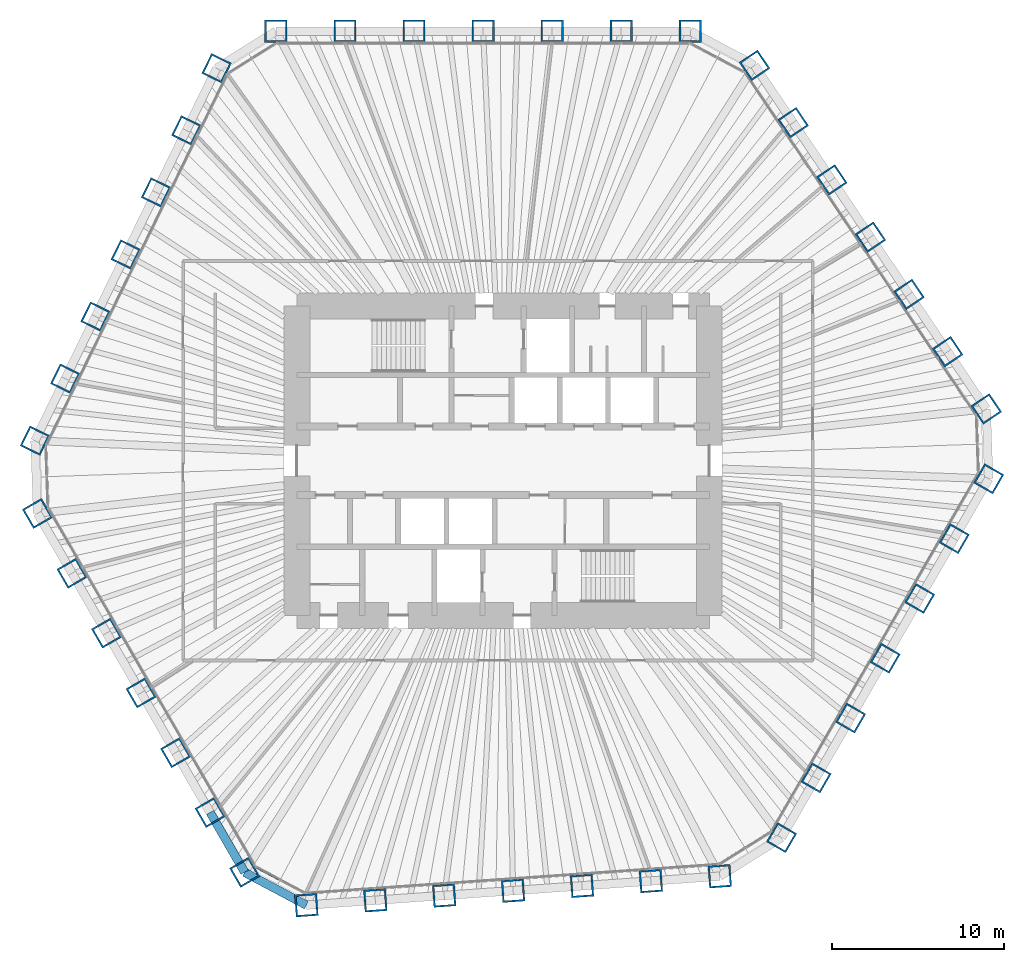
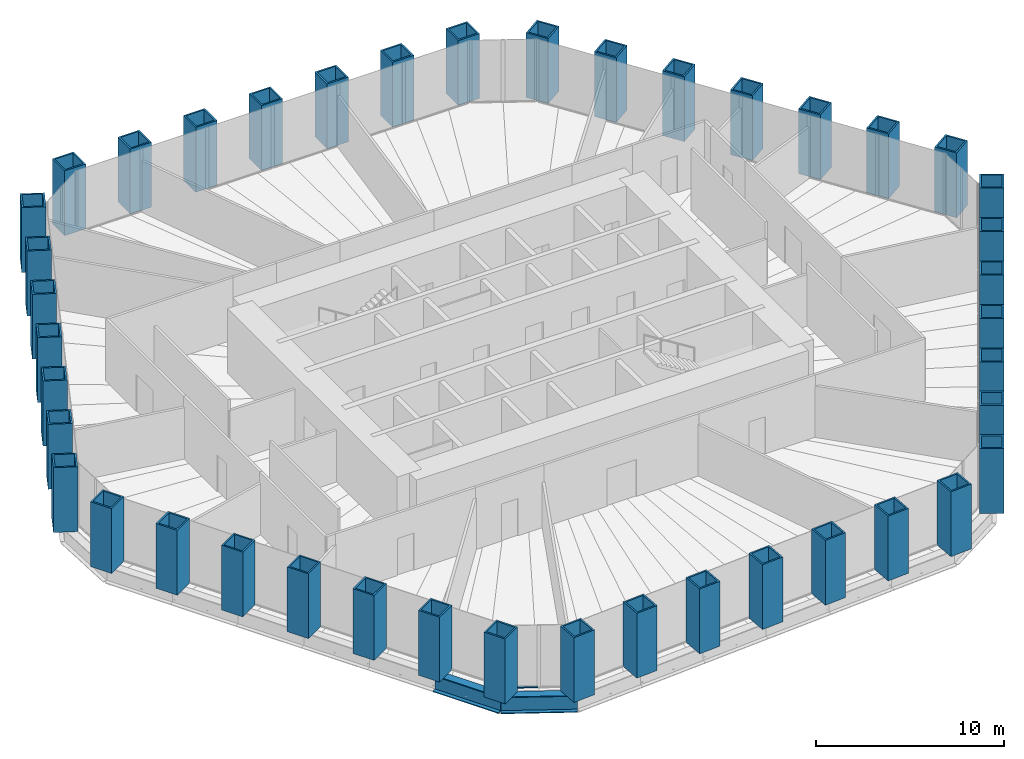
# One storey, part 1 of 13: 42 columns, 2 beams, 1 member, 1 element without a shape of its own.
"""IFC4 building model written with IfcOpenShell, lengths in metres."""

from ifc_helpers import new_model, si_unit, direction, frame, origin, origin_2d, place, context, subcontext, project, spatial, rectangle, hollow_rectangle, i_section, extrude, material, material_profile, profile_set, type_object, element, aggregate, save


model = new_model("IFC4")

# Units and contexts
model_context = context("Model", 3, precision=1e-05, world=origin(), true_north=direction((0.0, 1.0)))
body_context = subcontext(model_context, "Body", "Model", "MODEL_VIEW")
ifc_project = project(units=[si_unit("LENGTHUNIT", "METRE"), si_unit("AREAUNIT", "SQUARE_METRE"), si_unit("VOLUMEUNIT", "CUBIC_METRE"), si_unit("PLANEANGLEUNIT", "RADIAN"), si_unit("MASSUNIT", "GRAM", prefix="KILO")], contexts=[model_context])

# Site, building, storey
site_placement = place(None, origin())
site = spatial("IfcSite", under=ifc_project, at=site_placement, CompositionType="ELEMENT")
building_placement = place(site_placement, origin())
building = spatial("IfcBuilding", under=site, at=building_placement, Name="Qingtian Harvest Tower", CompositionType="ELEMENT")
storey_placement = place(building_placement, frame((0.0, 0.0, 157.60009765625)))
storey = spatial("IfcBuildingStorey", under=building, at=storey_placement, Name="L33", CompositionType="ELEMENT", Elevation=157.60009765625)

# Columns
ifc_material_1 = material(Name="Steel SM570MC", Category="steel")
ifc_material_profile_1 = material_profile(ifc_material_1, hollow_rectangle(XDim=1.300048828125, YDim=1.300048828125, WallThickness=0.10009765625, at=origin_2d()), Name="BOX1300x1300x100")
ifc_profile_set_1 = profile_set([ifc_material_profile_1], Name="Steel SM570MC")
column_type = type_object("IfcColumnType", Name="Tube column TC4 BOX1300x1300x100", PredefinedType="COLUMN", material=ifc_profile_set_1)
for number, where, z_axis, x_axis, name in (
    (1, (-13.2216796875, 25.0, 0.0), (0.0, 0.0, 1.0), (-1.0, 0.0, 0.0), "Tube column TC4 N0"),
    (2, (-9.20263671875, 25.0, 0.0), (0.0, 0.0, 1.0), (-1.0, 0.0, 0.0), "Tube column TC4 N1"),
    (3, (-5.18359375, 25.0, 0.0), (0.0, 0.0, 1.0), (-1.0, 0.0, 0.0), "Tube column TC4 N2"),
    (4, (-1.16455078125, 25.0, 0.0), (0.0, 0.0, 1.0), (-1.0, 0.0, 0.0), "Tube column TC4 N3"),
    (5, (2.8544921875, 25.0, 0.0), (0.0, 0.0, 1.0), (-1.0, 0.0, 0.0), "Tube column TC4 N4"),
    (6, (6.873779296875, 25.0, 0.0), (0.0, 0.0, 1.0), (-1.0, 0.0, 0.0), "Tube column TC4 N5"),
    (7, (10.892822265625, 25.0, 0.0), (0.0, 0.0, 1.0), (-1.0, 0.0, 0.0), "Tube column TC4 N6"),
    (8, (14.634765625, 23.01025390625, 0.0), (0.0, 0.0, 1.0), (-0.559192903471, 0.829037572555, 0.0), "Tube column TC4 NE0"),
    (9, (16.88232421875, 19.67822265625, 0.0), (0.0, 0.0, 1.0), (-0.559192903471, 0.829037572555, 0.0), "Tube column TC4 NE1"),
    (10, (19.129638671875, 16.346435546875, 0.0), (0.0, 0.0, 1.0), (-0.559192903471, 0.829037572555, 0.0), "Tube column TC4 NE2"),
    (11, (21.377197265625, 13.014404296875, 0.0), (0.0, 0.0, 1.0), (-0.559192903471, 0.829037572555, 0.0), "Tube column TC4 NE3"),
    (12, (23.62451171875, 9.682373046875, 0.0), (0.0, 0.0, 1.0), (-0.559192903471, 0.829037572555, 0.0), "Tube column TC4 NE4"),
    (13, (25.8720703125, 6.3505859375, 0.0), (0.0, 0.0, 1.0), (-0.559192903471, 0.829037572555, 0.0), "Tube column TC4 NE5"),
    (14, (28.119384765625, 3.0185546875, 0.0), (0.0, 0.0, 1.0), (-0.559192903471, 0.829037572555, 0.0), "Tube column TC4 NE6"),
    (15, (28.261474609375, -1.049560546875, 0.0), (0.0, 0.0, 1.0), (0.5, 0.866025403784, 0.0), "Tube column TC4 SE0"),
    (16, (26.251953125, -4.5302734375, 0.0), (0.0, 0.0, 1.0), (0.5, 0.866025403784, 0.0), "Tube column TC4 SE1"),
    (17, (24.242431640625, -8.010986328125, 0.0), (0.0, 0.0, 1.0), (0.5, 0.866025403784, 0.0), "Tube column TC4 SE2"),
    (18, (22.23291015625, -11.491455078125, 0.0), (0.0, 0.0, 1.0), (0.5, 0.866025403784, 0.0), "Tube column TC4 SE3"),
    (19, (20.223388671875, -14.97216796875, 0.0), (0.0, 0.0, 1.0), (0.5, 0.866025403784, 0.0), "Tube column TC4 SE4"),
    (20, (18.2138671875, -18.452880859375, 0.0), (0.0, 0.0, 1.0), (0.5, 0.866025403784, 0.0), "Tube column TC4 SE5"),
    (21, (16.204345703125, -21.933349609375, 0.0), (0.0, 0.0, 1.0), (0.5, 0.866025403784, 0.0), "Tube column TC4 SE6"),
    (22, (12.610107421875, -24.17919921875, 0.0), (0.0, 0.0, 1.0), (0.99756405026, 0.069756473744, 0.0), "Tube column TC4 S0"),
    (23, (8.600830078125, -24.459716796875, 0.0), (0.0, 0.0, 1.0), (0.99756405026, 0.069756473744, 0.0), "Tube column TC4 S1"),
    (24, (4.591552734375, -24.739990234375, 0.0), (0.0, 0.0, 1.0), (0.99756405026, 0.069756473744, 0.0), "Tube column TC4 S2"),
    (25, (0.582275390625, -25.020263671875, 0.0), (0.0, 0.0, 1.0), (0.99756405026, 0.069756473744, 0.0), "Tube column TC4 S3"),
    (26, (-3.427001953125, -25.30078125, 0.0), (0.0, 0.0, 1.0), (0.99756405026, 0.069756473744, 0.0), "Tube column TC4 S4"),
    (27, (-7.436279296875, -25.5810546875, 0.0), (0.0, 0.0, 1.0), (0.99756405026, 0.069756473744, 0.0), "Tube column TC4 S5"),
    (28, (-11.445556640625, -25.861328125, 0.0), (0.0, 0.0, 1.0), (0.99756405026, 0.069756473744, 0.0), "Tube column TC4 S6"),
    (29, (-15.039794921875, -23.950439453125, 0.0), (0.0, 0.0, 1.0), (0.5, -0.866025403784, 0.0), "Tube column TC4 SW0"),
    (30, (-17.04931640625, -20.4697265625, 0.0), (0.0, 0.0, 1.0), (0.5, -0.866025403784, 0.0), "Tube column TC4 SW1"),
    (31, (-19.058837890625, -16.989013671875, 0.0), (0.0, 0.0, 1.0), (0.5, -0.866025403784, 0.0), "Tube column TC4 SW2"),
    (32, (-21.068359375, -13.508544921875, 0.0), (0.0, 0.0, 1.0), (0.5, -0.866025403784, 0.0), "Tube column TC4 SW3"),
    (33, (-23.077880859375, -10.02783203125, 0.0), (0.0, 0.0, 1.0), (0.5, -0.866025403784, 0.0), "Tube column TC4 SW4"),
    (34, (-25.08740234375, -6.547119140625, 0.0), (0.0, 0.0, 1.0), (0.5, -0.866025403784, 0.0), "Tube column TC4 SW5"),
    (35, (-27.096923828125, -3.066650390625, 0.0), (0.0, 0.0, 1.0), (0.5, -0.866025403784, 0.0), "Tube column TC4 SW6"),
    (36, (-27.244873046875, 1.1689453125, 0.0), (0.0, 0.0, 1.0), (-0.438371146789, -0.898794046299, 0.0), "Tube column TC4 NW0"),
    (37, (-25.483154296875, 4.78125, 0.0), (0.0, 0.0, 1.0), (-0.438371146789, -0.898794046299, 0.0), "Tube column TC4 NW1"),
    (38, (-23.72119140625, 8.3935546875, 0.0), (0.0, 0.0, 1.0), (-0.438371146789, -0.898794046299, 0.0), "Tube column TC4 NW2"),
    (39, (-21.95947265625, 12.005859375, 0.0), (0.0, 0.0, 1.0), (-0.438371146789, -0.898794046299, 0.0), "Tube column TC4 NW3"),
    (40, (-20.197509765625, 15.6181640625, 0.0), (0.0, 0.0, 1.0), (-0.438371146789, -0.898794046299, 0.0), "Tube column TC4 NW4"),
    (41, (-18.435791015625, 19.23046875, 0.0), (0.0, 0.0, 1.0), (-0.438371146789, -0.898794046299, 0.0), "Tube column TC4 NW5"),
    (42, (-16.673828125, 22.8427734375, 0.0), (0.0, 0.0, 1.0), (-0.438371146789, -0.898794046299, 0.0), "Tube column TC4 NW6"),
):
    element("IfcColumn", number, at=place(storey_placement, frame(where, z_axis=z_axis, x_axis=x_axis)), inside=storey, type_object=column_type, Name=name, PredefinedType="COLUMN", context=body_context, shape_type="SweptSolid", body=[
        extrude(hollow_rectangle(XDim=1.300048828125, YDim=1.300048828125, WallThickness=0.10009765625, at=origin_2d()), origin(), (0.0, 0.0, 1.0), 4.199951171875),
    ])

# Beams
ifc_material_2 = material(Name="Steel SM570MC", Category="steel")
ifc_material_profile_2 = material_profile(ifc_material_2, i_section(OverallWidth=0.5, OverallDepth=1.10009765625, WebThickness=0.02490234375, FlangeThickness=0.050048828125, at=origin_2d()), Name="H1100x500x25x50")
ifc_profile_set_2 = profile_set([ifc_material_profile_2], Name="Steel SM570MC")
beam_type = type_object("IfcBeamType", Name="Spandrel beam SB2 H1100x500x25x50", PredefinedType="SPANDREL", material=ifc_profile_set_2)
beam_1_placement = place(storey_placement, frame((-11.445556640625, -25.861328125, -0.550048828125), z_axis=(-0.882968133669, 0.469432929101, 0.0), x_axis=(-0.469432929101, -0.882968133669, 0.0)))
element("IfcBeam", 43, at=beam_1_placement, inside=storey, type_object=beam_type, Name="Spandrel SB2 SC", PredefinedType="SPANDREL", context=body_context, shape_type="SweptSolid", body=[
    extrude(i_section(OverallWidth=0.5, OverallDepth=1.10009765625, WebThickness=0.02490234375, FlangeThickness=0.050048828125, at=origin_2d()), origin(), (0.0, 0.0, 1.0), 4.070556640625),
])
beam_2_placement = place(storey_placement, frame((-15.039794921875, -23.950439453125, -0.550048828125), z_axis=(-0.499987116613, 0.866032841884, 0.0), x_axis=(-0.866032841884, -0.499987116613, 0.0)))
element("IfcBeam", 44, at=beam_2_placement, inside=storey, type_object=beam_type, Name="Spandrel SB2 SW0", PredefinedType="SPANDREL", context=body_context, shape_type="SweptSolid", body=[
    extrude(i_section(OverallWidth=0.5, OverallDepth=1.10009765625, WebThickness=0.02490234375, FlangeThickness=0.050048828125, at=origin_2d()), origin(), (0.0, 0.0, 1.0), 4.01904296875),
])

# Curtain wall, member
ifc_material_3 = material(Name="Bronze-anodised aluminium curtain wall", Category="aluminium")
curtain_wall_type = type_object("IfcCurtainWallType", Name="Curtain wall CW4 office", PredefinedType="USERDEFINED", material=ifc_material_3)
curtain_wall_placement = place(storey_placement, origin())
curtain_wall = element("IfcCurtainWall", 45, at=curtain_wall_placement, inside=storey, type_object=curtain_wall_type, Name="Curtain wall CW4 L33 SC", ObjectType="RECESSED CURTAIN WALL", PredefinedType="USERDEFINED")
ifc_material_4 = material(Name="Bronze-anodised aluminium transom", Category="aluminium")
ifc_material_profile_3 = material_profile(ifc_material_4, rectangle(XDim=0.14990234375, YDim=0.06494140625, at=origin_2d()), Name="AL 65x150")
ifc_profile_set_3 = profile_set([ifc_material_profile_3], Name="Bronze-anodised aluminium transom")
member_type = type_object("IfcMemberType", Name="Transom CWT 65x150", PredefinedType="USERDEFINED", material=ifc_profile_set_3)
member_placement = place(storey_placement, frame((-12.99267578125, -24.366455078125, 0.032470703125), z_axis=(-0.882960338349, 0.46944759122, 0.0), x_axis=(-0.46944759122, -0.882960338349, 0.0)))
member = element("IfcMember", 46, at=member_placement, type_object=member_type, Name="CW4 transom 2.1", ObjectType="TRANSOM", PredefinedType="USERDEFINED", context=body_context, shape_type="SweptSolid", body=[
    extrude(rectangle(XDim=0.14990234375, YDim=0.06494140625, at=origin_2d()), origin(), (0.0, 0.0, 1.0), 1.56689453125),
])
aggregate(curtain_wall, [member])

save(model, "model.ifc")
